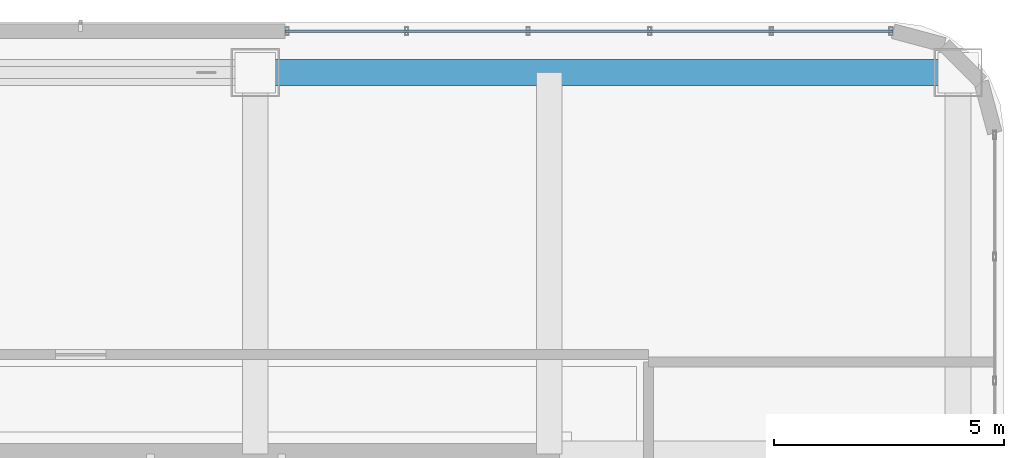
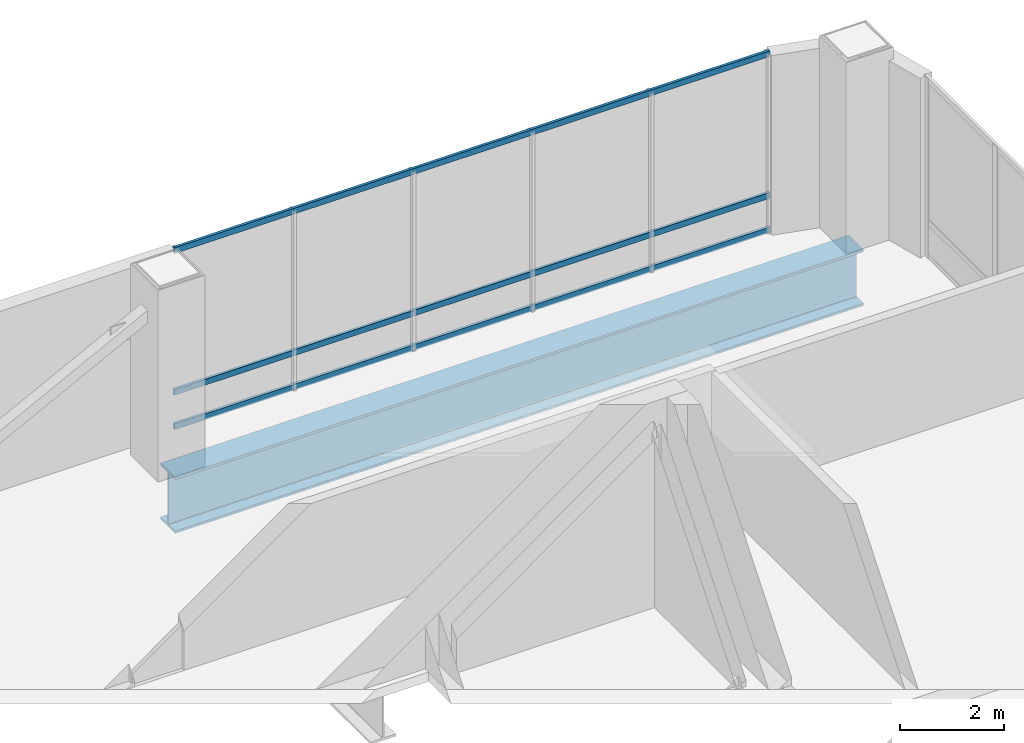
# One storey, part 23 of 33: 3 members, 1 beam, 1 element without a shape of its own.
"""IFC4 building model written with IfcOpenShell, lengths in metres."""

import ifcopenshell
import ifcopenshell.guid

model = None  # the IFC model being written
_history = None  # IfcOwnerHistory: only IFC2X3 demands one
_inside = {}  # id of a spatial element -> (the spatial element, [elements in it])
_under = {}  # id of a project, library or spatial element -> (it, [spatial elements below it])
_declared = {}  # id of a project -> (the project, [libraries it declares])
_typed = {}  # id of a type object -> (the type object, [elements of that type])
_made_of = {}  # id of a material, layer set ... -> (it, [elements and type objects made of it])


def new_model(schema):
    """Start an empty IFC model of exactly this schema.

    Asked for "IFC4X3", IfcOpenShell would pick the latest addendum, in which some entities
    have other attributes; the version numbers below select the first issue.
    IFC2X3 requires an IfcOwnerHistory on every rooted entity: one is made here for all.
    """
    global model, _history
    if schema == "IFC4X3":
        model = ifcopenshell.file(schema_version=(4, 3, 0, 0))
    else:
        model = ifcopenshell.file(schema=schema)
    _inside.clear()
    _under.clear()
    _declared.clear()
    _typed.clear()
    _made_of.clear()
    _history = None
    if model.schema == "IFC2X3":
        org = make("IfcOrganization", Name="unknown")
        user = make(
            "IfcPersonAndOrganization",
            ThePerson=make("IfcPerson", FamilyName="unknown"),
            TheOrganization=org,
        )
        app = make(
            "IfcApplication",
            ApplicationDeveloper=org,
            Version="unknown",
            ApplicationFullName="unknown",
            ApplicationIdentifier="unknown",
        )
        _history = make(
            "IfcOwnerHistory",
            OwningUser=user,
            OwningApplication=app,
            ChangeAction="ADDED",
            CreationDate=0,
        )
    return model


def make(cls, **values):
    """One entity of the class cls with the attributes given. An attribute that is None is left unset."""
    return model.create_entity(
        cls, **{name: value for name, value in values.items() if value is not None}
    )


def rooted(cls, **values):
    """An entity with a GlobalId (a new one), such as an element, a storey or a relation."""
    return make(cls, GlobalId=ifcopenshell.guid.new(), OwnerHistory=_history, **values)


def si_unit(unit_type, name, prefix=None):
    """IfcSIUnit, for example si_unit("LENGTHUNIT", "METRE", prefix="MILLI")."""
    return make("IfcSIUnit", UnitType=unit_type, Prefix=prefix, Name=name)


def assignment(units):
    """IfcUnitAssignment: the units of a project."""
    return None if units is None else make("IfcUnitAssignment", Units=units)


def point(xyz):
    """IfcCartesianPoint."""
    return None if xyz is None else make("IfcCartesianPoint", Coordinates=xyz)


def direction(xyz):
    """IfcDirection."""
    return None if xyz is None else make("IfcDirection", DirectionRatios=xyz)


def frame(location, z_axis=None, x_axis=None):
    """IfcAxis2Placement3D, a coordinate frame: its origin and axes. An axis left out is left unset."""
    return make(
        "IfcAxis2Placement3D",
        Location=point(location),
        Axis=direction(z_axis),
        RefDirection=direction(x_axis),
    )


def frame_2d(location, x_axis=None):
    """IfcAxis2Placement2D, a coordinate frame in the plane: its origin and x axis."""
    return make(
        "IfcAxis2Placement2D", Location=point(location), RefDirection=direction(x_axis)
    )


def origin():
    """The frame at (0, 0, 0) with its axes left unset."""
    return frame((0.0, 0.0, 0.0))


def origin_2d():
    """The frame at (0, 0) in the plane with its x axis left unset."""
    return frame_2d((0.0, 0.0))


def place(relative_to, where):
    """IfcLocalPlacement: puts the frame where relative to a parent placement (None: the world)."""
    return make(
        "IfcLocalPlacement", PlacementRelTo=relative_to, RelativePlacement=where
    )


def context(
    kind, dimensions, precision=None, world=None, true_north=None, identifier=None
):
    """IfcGeometricRepresentationContext, for example the 3D "Model" context."""
    return make(
        "IfcGeometricRepresentationContext",
        ContextIdentifier=identifier,
        ContextType=kind,
        CoordinateSpaceDimension=dimensions,
        Precision=precision,
        WorldCoordinateSystem=world,
        TrueNorth=true_north,
    )


def subcontext(parent, identifier, kind, view, scale=None):
    """IfcGeometricRepresentationSubContext, for example "Body" below "Model"."""
    return make(
        "IfcGeometricRepresentationSubContext",
        ContextIdentifier=identifier,
        ContextType=kind,
        ParentContext=parent,
        TargetScale=scale,
        TargetView=view,
    )


def project(units=None, contexts=None):
    """IfcProject with its units and contexts."""
    return rooted(
        "IfcProject",
        Name="project",
        RepresentationContexts=contexts,
        UnitsInContext=assignment(units),
    )


def spatial(cls, under=None, at=None, **own):
    """A site, building, storey or space (cls), placed at a placement, below another one or the project."""
    s = rooted(cls, ObjectPlacement=at, **own)
    if under is not None:
        _under.setdefault(under.id(), (under, []))[1].append(s)
    return s


def profile(cls, at=None, kind="AREA", **sizes):
    """A parametric profile (cls). Its sizes go by their IFC names, for example OverallWidth=200.0."""
    return make(cls, ProfileType=kind, Position=at, **sizes)


def hollow_rectangle(**sizes):
    """IfcRectangleHollowProfileDef."""
    return profile("IfcRectangleHollowProfileDef", **sizes)


def i_section(**sizes):
    """IfcIShapeProfileDef."""
    return profile("IfcIShapeProfileDef", **sizes)


def extrude(swept, where, along, depth):
    """IfcExtrudedAreaSolid: the profile swept, set in the frame where, extruded along a direction by depth."""
    return make(
        "IfcExtrudedAreaSolid",
        SweptArea=swept,
        Position=where,
        ExtrudedDirection=direction(along),
        Depth=depth,
    )


def shape(context_of_items, identifier, shape_type, items):
    """IfcShapeRepresentation: the items that make up one representation, for example the "Body"."""
    return make(
        "IfcShapeRepresentation",
        ContextOfItems=context_of_items,
        RepresentationIdentifier=identifier,
        RepresentationType=shape_type,
        Items=items,
    )


def material(Name=None, Category=None):
    """IfcMaterial."""
    return make("IfcMaterial", Name=Name, Category=Category)


def material_profile(
    of_material, cross_section, Name=None, Category=None, Priority=None
):
    """IfcMaterialProfile: a cross section and its material."""
    return make(
        "IfcMaterialProfile",
        Name=Name,
        Material=of_material,
        Profile=cross_section,
        Priority=Priority,
        Category=Category,
    )


def profile_set(profiles, Name=None, composite=None):
    """IfcMaterialProfileSet."""
    return make(
        "IfcMaterialProfileSet",
        Name=Name,
        MaterialProfiles=profiles,
        CompositeProfile=composite,
    )


def made_of(thing, what):
    """Note that an element or type object is made of a material, layer set ...; save() writes the relation."""
    if what is not None:
        _made_of.setdefault(what.id(), (what, []))[1].append(thing)
    return thing


def type_object(cls, material=None, **own):
    """A type object (cls), such as IfcWallType, which elements share."""
    return made_of(rooted(cls, **own), material)


def element(
    cls,
    number,
    at=None,
    inside=None,
    cuts=None,
    type_object=None,
    material=None,
    context=None,
    identifier="Body",
    shape_type=None,
    held_by="IfcProductDefinitionShape",
    body=None,
    shapes=None,
    **own,
):
    """One element of the class cls, such as IfcWall. Its Tag is "e" and its number.

    at: its placement. inside: the storey or other place that contains it. cuts: it is an
    opening in that element (IfcRelVoidsElement). A single representation is given by context,
    identifier, shape_type and body (its items); several are given by shapes. held_by: the class
    of the entity that holds the representations. save() writes the other relations.
    """
    e = rooted(cls, Tag="e%d" % number, ObjectPlacement=at, **own)
    if body is not None:
        shapes = [shape(context, identifier, shape_type, body)]
    if shapes is not None:
        e.Representation = make(held_by, Representations=shapes)
    if inside is not None:
        _inside.setdefault(inside.id(), (inside, []))[1].append(e)
    if cuts is not None:
        rooted(
            "IfcRelVoidsElement", RelatingBuildingElement=cuts, RelatedOpeningElement=e
        )
    if type_object is not None:
        _typed.setdefault(type_object.id(), (type_object, []))[1].append(e)
    return made_of(e, material)


def aggregate(whole, parts):
    """IfcRelAggregates: a whole, such as a stair, and the parts it consists of."""
    return rooted("IfcRelAggregates", RelatingObject=whole, RelatedObjects=parts)


def save(model, path):
    """Write the relations noted so far, then the file.

    IfcRelAggregates (storeys below a building ...), IfcRelContainedInSpatialStructure (elements
    in a storey), IfcRelDefinesByType, IfcRelAssociatesMaterial and IfcRelDeclares: one each for
    every whole, place, type object, material and project.
    """
    for whole, parts in _under.values():
        aggregate(whole, parts)
    for where, things in _inside.values():
        rooted(
            "IfcRelContainedInSpatialStructure",
            RelatedElements=things,
            RelatingStructure=where,
        )
    for kind, things in _typed.values():
        rooted("IfcRelDefinesByType", RelatedObjects=things, RelatingType=kind)
    for what, things in _made_of.values():
        rooted("IfcRelAssociatesMaterial", RelatedObjects=things, RelatingMaterial=what)
    for by, libraries in _declared.values():
        rooted("IfcRelDeclares", RelatingContext=by, RelatedDefinitions=libraries)
    model.write(path)


model = new_model("IFC4")

# Units and contexts
model_context = context("Model", 3, precision=1e-05, world=origin(), true_north=direction((0.0, 1.0)))
body_context = subcontext(model_context, "Body", "Model", "MODEL_VIEW")
ifc_project = project(units=[si_unit("LENGTHUNIT", "METRE"), si_unit("AREAUNIT", "SQUARE_METRE"), si_unit("VOLUMEUNIT", "CUBIC_METRE"), si_unit("PLANEANGLEUNIT", "RADIAN"), si_unit("MASSUNIT", "GRAM", prefix="KILO")], contexts=[model_context])

# Site, building, storey
site_placement = place(None, origin())
site = spatial("IfcSite", under=ifc_project, at=site_placement, CompositionType="ELEMENT")
building_placement = place(site_placement, origin())
building = spatial("IfcBuilding", under=site, at=building_placement, Name="Punatoya Terracotta Tower", CompositionType="ELEMENT")
storey_placement = place(building_placement, frame((0.0, 0.0, 348.300048828125)))
storey = spatial("IfcBuildingStorey", under=building, at=storey_placement, Name="L82", CompositionType="ELEMENT", Elevation=348.300048828125)

# Beam
ifc_material_1 = material(Name="Steel S460", Category="steel")
ifc_material_profile_1 = material_profile(ifc_material_1, i_section(OverallWidth=0.56005859375, OverallDepth=1.320068359375, WebThickness=0.035888671875, FlangeThickness=0.054931640625, FilletRadius=0.01806640625, at=origin_2d()))
ifc_profile_set_1 = profile_set([ifc_material_profile_1], Name="Steel S460")
beam_type = type_object("IfcBeamType", Name="BM-TG-BLK", PredefinedType="BEAM", material=ifc_profile_set_1)
beam_placement = place(storey_placement, frame((3.800048828125, 17.5, -0.880126953125), z_axis=(1.0, 0.0, 0.0), x_axis=(0.0, 1.0, 0.0)))
element("IfcBeam", 1, at=beam_placement, inside=storey, type_object=beam_type, Name="BM-L82-RG-N3", PredefinedType="BEAM", context=body_context, shape_type="SweptSolid", body=[
    extrude(i_section(OverallWidth=0.56005859375, OverallDepth=1.320068359375, WebThickness=0.035888671875, FlangeThickness=0.054931640625, FilletRadius=0.01806640625, at=origin_2d()), origin(), (0.0, 0.0, 1.0), 15.300048828125),
])

# Curtain wall, members
ifc_material_2 = material(Name="Aluminium 6063-T6 + Double Low-E Glass", Category="aluminium")
curtain_wall_type = type_object("IfcCurtainWallType", Name="CW-CRN", PredefinedType="NOTDEFINED", material=ifc_material_2)
curtain_wall_placement = place(storey_placement, origin())
curtain_wall = element("IfcCurtainWall", 2, at=curtain_wall_placement, inside=storey, type_object=curtain_wall_type, Name="L82 Curtain Wall CW-L82-N09-1", PredefinedType="NOTDEFINED")
ifc_material_3 = material(Name="Aluminium 6063-T6", Category="aluminium")
ifc_material_profile_2 = material_profile(ifc_material_3, hollow_rectangle(XDim=0.06201171875, YDim=0.135009765625, WallThickness=0.00390625, at=origin_2d()))
ifc_profile_set_2 = profile_set([ifc_material_profile_2], Name="Aluminium 6063-T6")
member_type = type_object("IfcMemberType", Name="CW-TRN-CRN", PredefinedType="USERDEFINED", material=ifc_profile_set_2)
member_1_placement = place(storey_placement, frame((17.68701171875, 18.39990234375, 0.0400390625), z_axis=(-1.0, 0.0, 0.0), x_axis=(0.0, -1.0, 0.0)))
member_1 = element("IfcMember", 3, at=member_1_placement, type_object=member_type, Name="CW-L82-N09-1 Transom 1", ObjectType="TRANSOM", PredefinedType="USERDEFINED", context=body_context, shape_type="SweptSolid", body=[
    extrude(hollow_rectangle(XDim=0.06201171875, YDim=0.135009765625, WallThickness=0.00390625, at=origin_2d()), origin(), (0.0, 0.0, 1.0), 13.237060546875),
])
member_2_placement = place(storey_placement, frame((17.68701171875, 18.39990234375, 0.849853515625), z_axis=(-1.0, 0.0, 0.0), x_axis=(0.0, -1.0, 0.0)))
member_2 = element("IfcMember", 4, at=member_2_placement, type_object=member_type, Name="CW-L82-N09-1 Transom 2", ObjectType="TRANSOM", PredefinedType="USERDEFINED", context=body_context, shape_type="SweptSolid", body=[
    extrude(hollow_rectangle(XDim=0.06201171875, YDim=0.135009765625, WallThickness=0.00390625, at=origin_2d()), origin(), (0.0, 0.0, 1.0), 13.237060546875),
])
member_3_placement = place(storey_placement, frame((17.68701171875, 18.39990234375, 4.179931640625), z_axis=(-1.0, 0.0, 0.0), x_axis=(0.0, -1.0, 0.0)))
member_3 = element("IfcMember", 5, at=member_3_placement, type_object=member_type, Name="CW-L82-N09-1 Transom 3", ObjectType="TRANSOM", PredefinedType="USERDEFINED", context=body_context, shape_type="SweptSolid", body=[
    extrude(hollow_rectangle(XDim=0.06201171875, YDim=0.135009765625, WallThickness=0.00390625, at=origin_2d()), origin(), (0.0, 0.0, 1.0), 13.237060546875),
])
aggregate(curtain_wall, [member_1, member_2, member_3])

save(model, "model.ifc")
